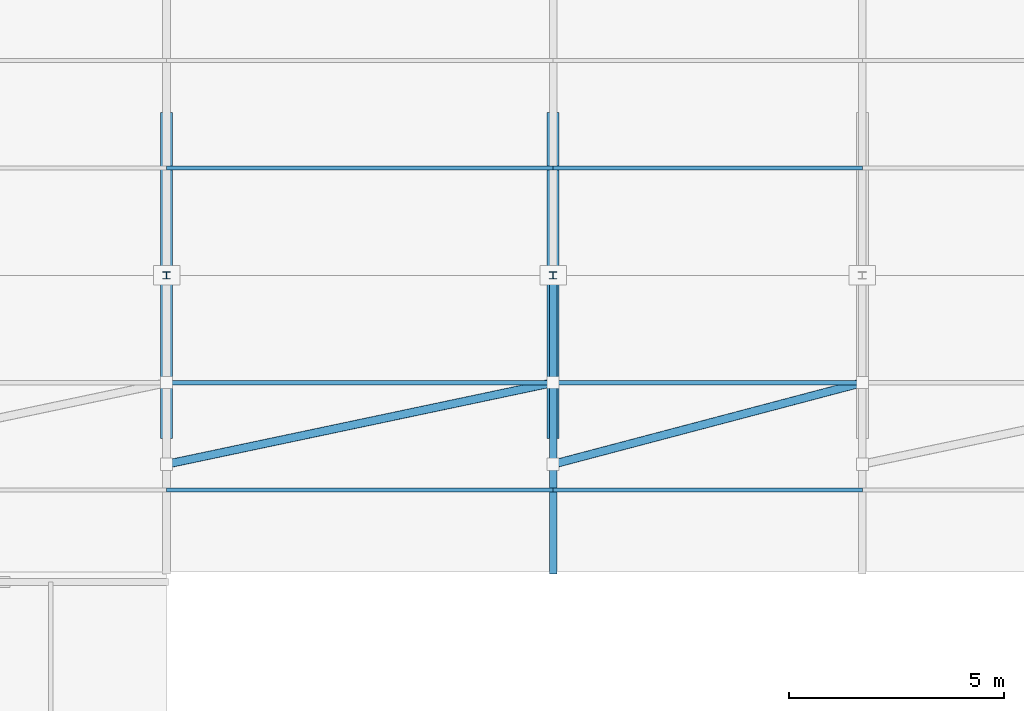
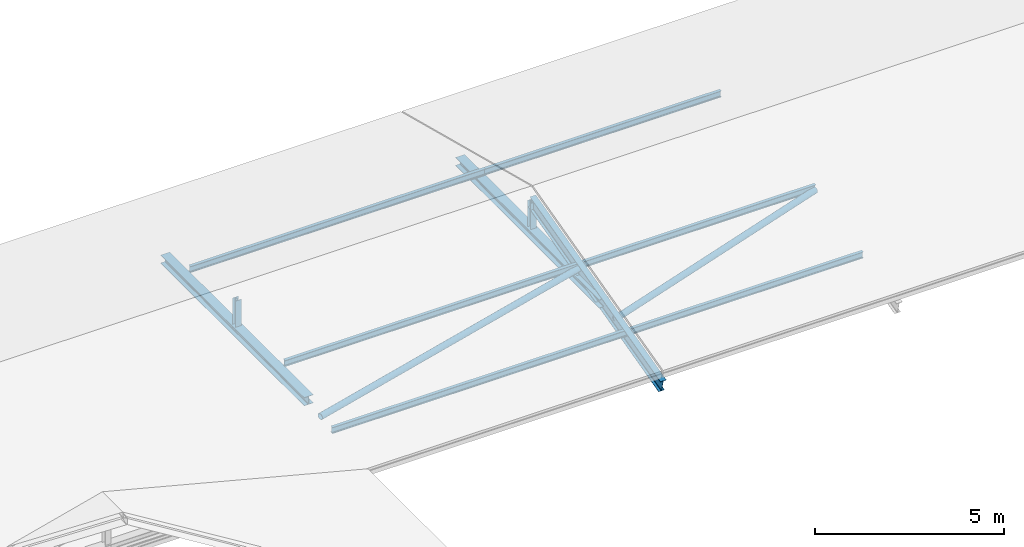
# One storey, part 13 of 31: 13 members.
"""IFC4 building model written with IfcOpenShell, lengths in metres."""

from ifc_helpers import new_model, si_unit, direction, frame, origin, origin_2d, place, context, subcontext, project, spatial, hollow_circle, i_section, extrude, material, material_profile, profile_set, type_object, element, save


model = new_model("IFC4")

# Units and contexts
model_context = context("Model", 3, precision=1e-05, world=origin(), true_north=direction((0.0, 1.0)))
body_context = subcontext(model_context, "Body", "Model", "MODEL_VIEW")
ifc_project = project(units=[si_unit("LENGTHUNIT", "METRE"), si_unit("AREAUNIT", "SQUARE_METRE"), si_unit("VOLUMEUNIT", "CUBIC_METRE"), si_unit("PLANEANGLEUNIT", "RADIAN"), si_unit("MASSUNIT", "GRAM", prefix="KILO")], contexts=[model_context])

# Site, building, storey
site_placement = place(None, origin())
site = spatial("IfcSite", under=ifc_project, at=site_placement, CompositionType="ELEMENT")
building_placement = place(site_placement, origin())
building = spatial("IfcBuilding", under=site, at=building_placement, Name="Clarverna Civic Hall", CompositionType="ELEMENT")
storey_placement = place(building_placement, frame((0.0, 0.0, 31.199951171875)))
storey = spatial("IfcBuildingStorey", under=building, at=storey_placement, Name="RF", CompositionType="ELEMENT", Elevation=31.199951171875)

# Members
ifc_material = material(Name="Steel S355", Category="steel")
ifc_material_profile_1 = material_profile(ifc_material, hollow_circle(Radius=0.096923828125, WallThickness=0.010009765625, at=origin_2d()), Name="CHS 193.7x10.0")
ifc_profile_set_1 = profile_set([ifc_material_profile_1], Name="Steel S355")
member_type_1 = type_object("IfcMemberType", Name="BRR-1", PredefinedType="BRACE", material=ifc_profile_set_1)
member_1_placement = place(storey_placement, frame((16.199951171875, 104.699951171875, -10.50341796875), z_axis=(0.977037540615, 0.2062793831, 0.053352228984), x_axis=(-0.206573594386, 0.978431065585, 0.0)))
element("IfcMember", 1, at=member_1_placement, inside=storey, type_object=member_type_1, Name="BRR-1-003", PredefinedType="BRACE", context=body_context, shape_type="SweptSolid", body=[
    extrude(hollow_circle(Radius=0.096923828125, WallThickness=0.010009765625, at=origin_2d()), origin(), (0.0, 0.0, 1.0), 9.21142578125),
])
member_2_placement = place(storey_placement, frame((25.199951171875, 104.699951171875, -10.50341796875), z_axis=(0.964796135016, 0.254620335656, 0.065855163263), x_axis=(-0.255174269866, 0.966895078071, 0.0)))
element("IfcMember", 2, at=member_2_placement, inside=storey, type_object=member_type_1, Name="BRR-1-004", PredefinedType="BRACE", context=body_context, shape_type="SweptSolid", body=[
    extrude(hollow_circle(Radius=0.096923828125, WallThickness=0.010009765625, at=origin_2d()), origin(), (0.0, 0.0, 1.0), 7.462646484375),
])
ifc_material_profile_2 = material_profile(ifc_material, i_section(OverallWidth=0.280029296875, OverallDepth=0.27001953125, WebThickness=0.008056640625, FlangeThickness=0.012939453125, FilletRadius=0.02392578125, at=origin_2d()), Name="HEA 280")
ifc_profile_set_2 = profile_set([ifc_material_profile_2], Name="Steel S355")
member_type_2 = type_object("IfcMemberType", Name="CH-01", PredefinedType="CHORD", material=ifc_profile_set_2)
for number, where, z_axis, x_axis, name in (
    (3, (16.199951171875, 105.304931640625, -10.346923828125), (0.0, 1.0, 0.0), (-1.0, 0.0, 0.0), "CH-01-003"),
    (4, (25.199951171875, 105.304931640625, -10.346923828125), (0.0, 1.0, 0.0), (-1.0, 0.0, 0.0), "CH-01-004"),
):
    element("IfcMember", number, at=place(storey_placement, frame(where, z_axis=z_axis, x_axis=x_axis)), inside=storey, type_object=member_type_2, Name=name, PredefinedType="CHORD", context=body_context, shape_type="SweptSolid", body=[
        extrude(i_section(OverallWidth=0.280029296875, OverallDepth=0.27001953125, WebThickness=0.008056640625, FlangeThickness=0.012939453125, FilletRadius=0.02392578125, at=origin_2d()), origin(), (0.0, 0.0, 1.0), 7.590087890625),
    ])
ifc_material_profile_3 = material_profile(ifc_material, i_section(OverallWidth=0.179931640625, OverallDepth=0.1708984375, WebThickness=0.006103515625, FlangeThickness=0.009521484375, FilletRadius=0.014892578125, at=origin_2d()), Name="HEA 180")
ifc_profile_set_3 = profile_set([ifc_material_profile_3], Name="Steel S355")
member_type_3 = type_object("IfcMemberType", Name="CH-04", PredefinedType="CHORD", material=ifc_profile_set_3)
for number, where, z_axis, x_axis, name in (
    (5, (16.199951171875, 109.10009765625, -10.346923828125), (0.0, 0.0, 1.0), (1.0, 0.0, 0.0), "CH-04-087"),
    (6, (25.199951171875, 109.10009765625, -10.346923828125), (0.0, 0.0, 1.0), (1.0, 0.0, 0.0), "CH-04-088"),
):
    element("IfcMember", number, at=place(storey_placement, frame(where, z_axis=z_axis, x_axis=x_axis)), inside=storey, type_object=member_type_3, Name=name, PredefinedType="CHORD", context=body_context, shape_type="SweptSolid", body=[
        extrude(i_section(OverallWidth=0.179931640625, OverallDepth=0.1708984375, WebThickness=0.006103515625, FlangeThickness=0.009521484375, FilletRadius=0.014892578125, at=origin_2d()), origin(), (0.0, 0.0, 1.0), 0.9814453125),
    ])
ifc_material_profile_4 = material_profile(ifc_material, i_section(OverallWidth=0.10009765625, OverallDepth=0.199951171875, WebThickness=0.005615234375, FlangeThickness=0.008544921875, FilletRadius=0.011962890625, at=origin_2d()), Name="IPE 200")
ifc_profile_set_4 = profile_set([ifc_material_profile_4], Name="Steel S355")
member_type_4 = type_object("IfcMemberType", Name="PU-RF1", PredefinedType="PURLIN", material=ifc_profile_set_4)
member_3_placement = place(storey_placement, frame((16.199951171875, 104.10009765625, -10.568603515625), z_axis=(1.0, 0.0, 0.0), x_axis=(0.0, 1.0, 0.0)))
element("IfcMember", 7, at=member_3_placement, inside=storey, type_object=member_type_4, Name="PU-RF1-003", PredefinedType="PURLIN", context=body_context, shape_type="SweptSolid", body=[
    extrude(i_section(OverallWidth=0.10009765625, OverallDepth=0.199951171875, WebThickness=0.005615234375, FlangeThickness=0.008544921875, FilletRadius=0.011962890625, at=origin_2d()), origin(), (0.0, 0.0, 1.0), 9.0),
])
member_4_placement = place(storey_placement, frame((25.199951171875, 104.10009765625, -10.568603515625), z_axis=(1.0, 0.0, 0.0), x_axis=(0.0, 1.0, 0.0)))
element("IfcMember", 8, at=member_4_placement, inside=storey, type_object=member_type_4, Name="PU-RF1-004", PredefinedType="PURLIN", context=body_context, shape_type="SweptSolid", body=[
    extrude(i_section(OverallWidth=0.10009765625, OverallDepth=0.199951171875, WebThickness=0.005615234375, FlangeThickness=0.008544921875, FilletRadius=0.011962890625, at=origin_2d()), origin(), (0.0, 0.0, 1.0), 7.199951171875),
])
member_5_placement = place(storey_placement, frame((16.199951171875, 106.60009765625, -9.922119140625), z_axis=(1.0, 0.0, 0.0), x_axis=(0.0, 1.0, 0.0)))
element("IfcMember", 9, at=member_5_placement, inside=storey, type_object=member_type_4, Name="PU-RF1-011", PredefinedType="PURLIN", context=body_context, shape_type="SweptSolid", body=[
    extrude(i_section(OverallWidth=0.10009765625, OverallDepth=0.199951171875, WebThickness=0.005615234375, FlangeThickness=0.008544921875, FilletRadius=0.011962890625, at=origin_2d()), origin(), (0.0, 0.0, 1.0), 9.0),
])
member_6_placement = place(storey_placement, frame((25.199951171875, 106.60009765625, -9.922119140625), z_axis=(1.0, 0.0, 0.0), x_axis=(0.0, 1.0, 0.0)))
element("IfcMember", 10, at=member_6_placement, inside=storey, type_object=member_type_4, Name="PU-RF1-012", PredefinedType="PURLIN", context=body_context, shape_type="SweptSolid", body=[
    extrude(i_section(OverallWidth=0.10009765625, OverallDepth=0.199951171875, WebThickness=0.005615234375, FlangeThickness=0.008544921875, FilletRadius=0.011962890625, at=origin_2d()), origin(), (0.0, 0.0, 1.0), 7.199951171875),
])
member_7_placement = place(storey_placement, frame((16.199951171875, 111.60009765625, -9.922119140625), z_axis=(1.0, 0.0, 0.0), x_axis=(0.0, 1.0, 0.0)))
element("IfcMember", 11, at=member_7_placement, inside=storey, type_object=member_type_4, Name="PU-RF1-019", PredefinedType="PURLIN", context=body_context, shape_type="SweptSolid", body=[
    extrude(i_section(OverallWidth=0.10009765625, OverallDepth=0.199951171875, WebThickness=0.005615234375, FlangeThickness=0.008544921875, FilletRadius=0.011962890625, at=origin_2d()), origin(), (0.0, 0.0, 1.0), 9.0),
])
member_8_placement = place(storey_placement, frame((25.199951171875, 111.60009765625, -9.922119140625), z_axis=(1.0, 0.0, 0.0), x_axis=(0.0, 1.0, 0.0)))
element("IfcMember", 12, at=member_8_placement, inside=storey, type_object=member_type_4, Name="PU-RF1-020", PredefinedType="PURLIN", context=body_context, shape_type="SweptSolid", body=[
    extrude(i_section(OverallWidth=0.10009765625, OverallDepth=0.199951171875, WebThickness=0.005615234375, FlangeThickness=0.008544921875, FilletRadius=0.011962890625, at=origin_2d()), origin(), (0.0, 0.0, 1.0), 7.199951171875),
])
ifc_material_profile_5 = material_profile(ifc_material, i_section(OverallWidth=0.179931640625, OverallDepth=0.39990234375, WebThickness=0.008544921875, FlangeThickness=0.013427734375, FilletRadius=0.02099609375, at=origin_2d()), Name="IPE 400")
ifc_profile_set_5 = profile_set([ifc_material_profile_5], Name="Steel S355")
member_type_5 = type_object("IfcMemberType", Name="RF-01", PredefinedType="RAFTER", material=ifc_profile_set_5)
member_9_placement = place(storey_placement, frame((25.199951171875, 102.199951171875, -11.14990234375), z_axis=(0.0, 0.968150204364, 0.250370089647), x_axis=(-1.0, 0.0, 0.0)))
element("IfcMember", 13, at=member_9_placement, inside=storey, type_object=member_type_5, Name="RF-01-007", PredefinedType="RAFTER", context=body_context, shape_type="SweptSolid", body=[
    extrude(i_section(OverallWidth=0.179931640625, OverallDepth=0.39990234375, WebThickness=0.008544921875, FlangeThickness=0.013427734375, FilletRadius=0.02099609375, at=origin_2d()), origin(), (0.0, 0.0, 1.0), 7.127197265625),
])

save(model, "model.ifc")
